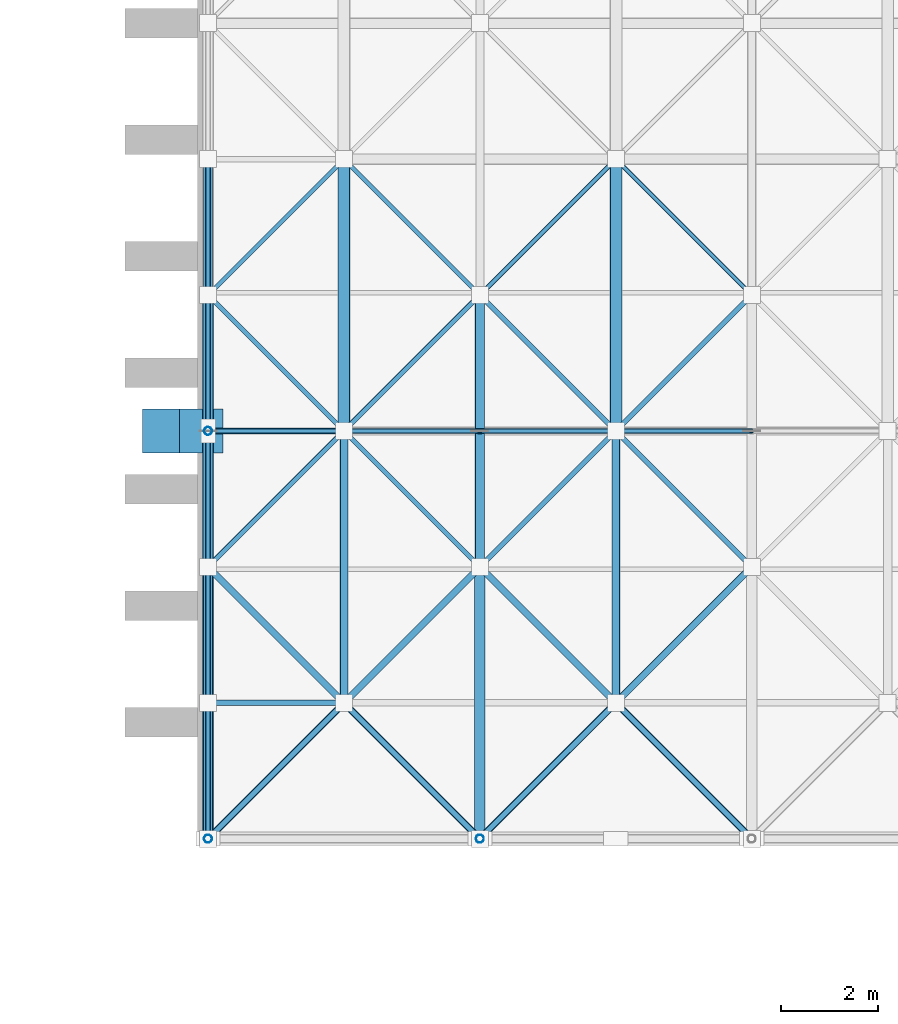
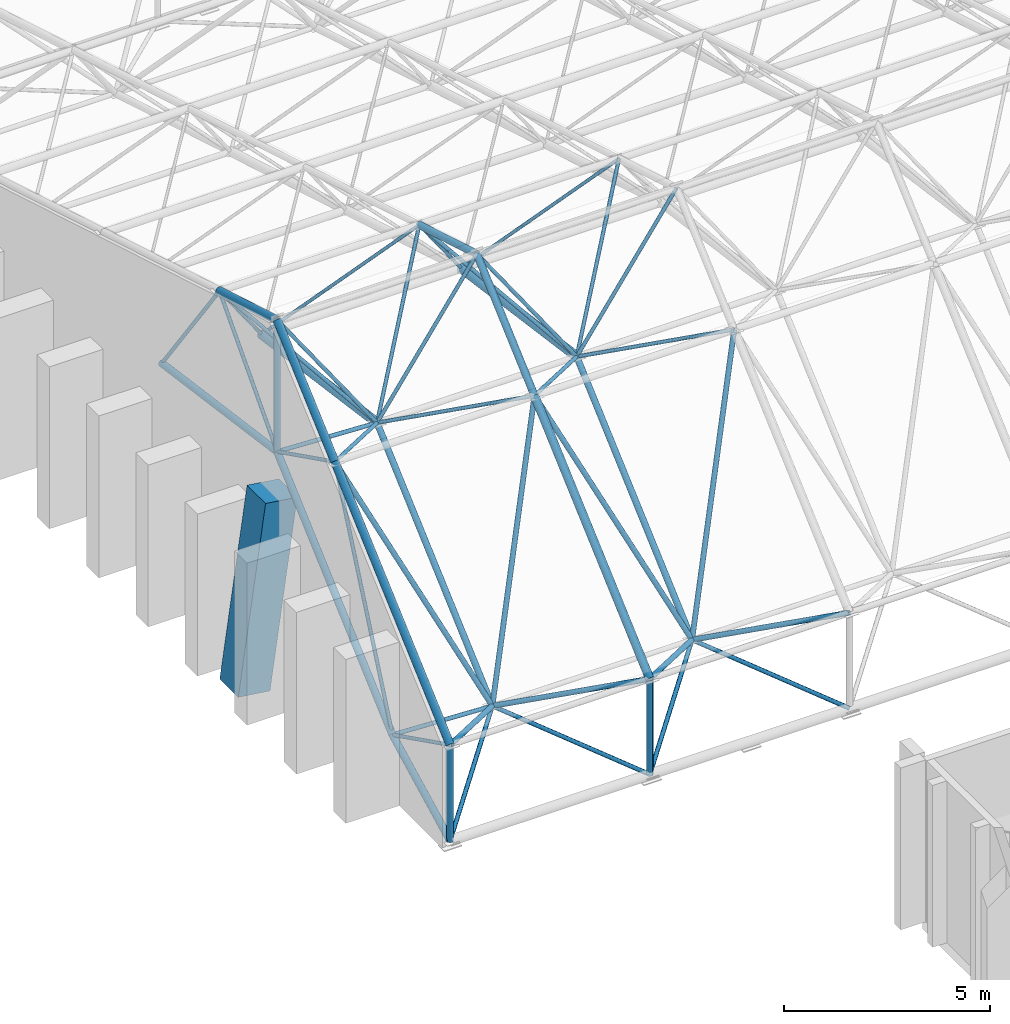
# One storey, part 24 of 100: 52 members.
"""IFC4 building model written with IfcOpenShell, lengths in metres."""

from ifc_helpers import new_model, si_unit, direction, frame, origin, origin_2d, place, context, subcontext, project, spatial, rectangle, hollow_circle, extrude, material, material_profile, profile_set, type_object, element, save


model = new_model("IFC4")

# Units and contexts
model_context = context("Model", 3, precision=1e-05, world=origin(), true_north=direction((0.0, 1.0)))
body_context = subcontext(model_context, "Body", "Model", "MODEL_VIEW")
ifc_project = project(units=[si_unit("LENGTHUNIT", "METRE"), si_unit("AREAUNIT", "SQUARE_METRE"), si_unit("VOLUMEUNIT", "CUBIC_METRE"), si_unit("PLANEANGLEUNIT", "RADIAN"), si_unit("MASSUNIT", "GRAM", prefix="KILO")], contexts=[model_context])

# Site, building, storey
site_placement = place(None, origin())
site = spatial("IfcSite", under=ifc_project, at=site_placement, CompositionType="ELEMENT")
building_placement = place(site_placement, origin())
building = spatial("IfcBuilding", under=site, at=building_placement, Name="Kiln Court Media Centre", CompositionType="ELEMENT")
storey_placement = place(building_placement, frame((0.0, 0.0, 15.0)))
storey = spatial("IfcBuildingStorey", under=building, at=storey_placement, Name="L03", CompositionType="ELEMENT", Elevation=15.0)

# Members
ifc_material_1 = material(Name="Concrete C40/50", Category="concrete")
ifc_material_profile_1 = material_profile(ifc_material_1, rectangle(XDim=0.89990234375, YDim=0.89990234375, at=origin_2d()), Name="RC 900x900")
ifc_profile_set_1 = profile_set([ifc_material_profile_1], Name="Concrete C40/50")
member_type_1 = type_object("IfcMemberType", Name="Concrete C40/50 raked column 900x900", PredefinedType="STRUT", material=ifc_profile_set_1)
member_1_placement = place(storey_placement, frame((116.695068359375, 42.0, 0.0), z_axis=(0.138324905677, 0.0, 0.990386904432), x_axis=(0.0, 1.0, 0.0)))
element("IfcMember", 1, at=member_1_placement, inside=storey, type_object=member_type_1, Name="L03-M-1003", PredefinedType="STRUT", context=body_context, shape_type="SweptSolid", body=[
    extrude(rectangle(XDim=0.89990234375, YDim=0.89990234375, at=origin_2d()), origin(), (0.0, 0.0, 1.0), 5.531494140625),
])
ifc_material_2 = material(Name="Steel ASTM A500 Gr C", Category="steel")
ifc_material_profile_2 = material_profile(ifc_material_2, hollow_circle(Radius=0.05078125, WallThickness=0.0048828125, at=origin_2d()), Name="CHS 101.6x5.0")
ifc_profile_set_2 = profile_set([ifc_material_profile_2], Name="Steel ASTM A500 Gr C")
member_type_2 = type_object("IfcMemberType", Name="Steel ASTM A500 Gr C CHS 101.6x5.0 space frame brace", PredefinedType="BRACE", material=ifc_profile_set_2)
member_2_placement = place(storey_placement, frame((120.39990234375, 42.0, 6.478271484375), z_axis=(-0.660014950047, -0.660072502799, 0.358726297841), x_axis=(0.70713760873, -0.707075952299, 0.0)))
element("IfcMember", 2, at=member_2_placement, inside=storey, type_object=member_type_2, Name="V2 roof diagonal 2-1 space frame brace", PredefinedType="BRACE", context=body_context, shape_type="SweptSolid", body=[
    extrude(hollow_circle(Radius=0.05078125, WallThickness=0.0048828125, at=origin_2d()), origin(), (0.0, 0.0, 1.0), 4.241943359375),
])
member_3_placement = place(storey_placement, frame((120.39990234375, 42.0, 6.478271484375), z_axis=(-0.550724936959, 0.550772959713, 0.627177160506), x_axis=(-0.70713760873, -0.707075952299, 0.0)))
element("IfcMember", 3, at=member_3_placement, inside=storey, type_object=member_type_2, Name="V2 roof diagonal 2-1 space frame brace", PredefinedType="BRACE", context=body_context, shape_type="SweptSolid", body=[
    extrude(hollow_circle(Radius=0.05078125, WallThickness=0.0048828125, at=origin_2d()), origin(), (0.0, 0.0, 1.0), 5.083740234375),
])
member_4_placement = place(storey_placement, frame((120.39990234375, 42.0, 6.478271484375), z_axis=(0.660047429834, -0.660047429834, 0.358712671563), x_axis=(0.707106781187, 0.707106781187, 0.0)))
element("IfcMember", 4, at=member_4_placement, inside=storey, type_object=member_type_2, Name="V2 roof diagonal 2-1 space frame brace", PredefinedType="BRACE", context=body_context, shape_type="SweptSolid", body=[
    extrude(hollow_circle(Radius=0.05078125, WallThickness=0.0048828125, at=origin_2d()), origin(), (0.0, 0.0, 1.0), 4.2421875),
])
member_5_placement = place(storey_placement, frame((120.39990234375, 42.0, 6.478271484375), z_axis=(0.550758393182, 0.550758393182, 0.627160573281), x_axis=(-0.707106781187, 0.707106781187, 0.0)))
element("IfcMember", 5, at=member_5_placement, inside=storey, type_object=member_type_2, Name="V2 roof diagonal 2-1 space frame brace", PredefinedType="BRACE", context=body_context, shape_type="SweptSolid", body=[
    extrude(hollow_circle(Radius=0.05078125, WallThickness=0.0048828125, at=origin_2d()), origin(), (0.0, 0.0, 1.0), 5.083984375),
])
for number, where, z_axis, x_axis, name in (
    (6, (120.39990234375, 42.0, 6.478271484375), (-0.571350561003, 0.0, 0.820706120631), (0.0, -1.0, 0.0), "V2 roof ridge diagonal 2-1 space frame brace"),
    (7, (120.39990234375, 42.0, 6.478271484375), (0.571384117126, 0.0, 0.820682758864), (0.0, 1.0, 0.0), "V2 roof ridge diagonal 2-1 space frame brace"),
):
    element("IfcMember", number, at=place(storey_placement, frame(where, z_axis=z_axis, x_axis=x_axis)), inside=storey, type_object=member_type_2, Name=name, PredefinedType="BRACE", context=body_context, shape_type="SweptSolid", body=[
        extrude(hollow_circle(Radius=0.05078125, WallThickness=0.0048828125, at=origin_2d()), origin(), (0.0, 0.0, 1.0), 4.900390625),
    ])
member_6_placement = place(storey_placement, frame((126.0, 42.0, 6.478271484375), z_axis=(-0.660047429834, -0.660047429834, 0.358712671563), x_axis=(0.707106781187, -0.707106781187, 0.0)))
element("IfcMember", 8, at=member_6_placement, inside=storey, type_object=member_type_2, Name="V2 roof diagonal 2-2 space frame brace", PredefinedType="BRACE", context=body_context, shape_type="SweptSolid", body=[
    extrude(hollow_circle(Radius=0.05078125, WallThickness=0.0048828125, at=origin_2d()), origin(), (0.0, 0.0, 1.0), 4.2421875),
])
member_7_placement = place(storey_placement, frame((126.0, 42.0, 6.478271484375), z_axis=(-0.550758393182, 0.550758393182, 0.627160573281), x_axis=(-0.707106781187, -0.707106781187, 0.0)))
element("IfcMember", 9, at=member_7_placement, inside=storey, type_object=member_type_2, Name="V2 roof diagonal 2-2 space frame brace", PredefinedType="BRACE", context=body_context, shape_type="SweptSolid", body=[
    extrude(hollow_circle(Radius=0.05078125, WallThickness=0.0048828125, at=origin_2d()), origin(), (0.0, 0.0, 1.0), 5.083984375),
])
member_8_placement = place(storey_placement, frame((126.0, 42.0, 6.478271484375), z_axis=(0.660047429834, -0.660047429834, 0.358712671563), x_axis=(0.707106781187, 0.707106781187, 0.0)))
element("IfcMember", 10, at=member_8_placement, inside=storey, type_object=member_type_2, Name="V2 roof diagonal 2-2 space frame brace", PredefinedType="BRACE", context=body_context, shape_type="SweptSolid", body=[
    extrude(hollow_circle(Radius=0.05078125, WallThickness=0.0048828125, at=origin_2d()), origin(), (0.0, 0.0, 1.0), 4.2421875),
])
member_9_placement = place(storey_placement, frame((126.0, 42.0, 6.478271484375), z_axis=(0.550758393182, 0.550758393182, 0.627160573281), x_axis=(-0.707106781187, 0.707106781187, 0.0)))
element("IfcMember", 11, at=member_9_placement, inside=storey, type_object=member_type_2, Name="V2 roof diagonal 2-2 space frame brace", PredefinedType="BRACE", context=body_context, shape_type="SweptSolid", body=[
    extrude(hollow_circle(Radius=0.05078125, WallThickness=0.0048828125, at=origin_2d()), origin(), (0.0, 0.0, 1.0), 5.083984375),
])
for number, where, z_axis, x_axis, name in (
    (12, (126.0, 42.0, 6.478271484375), (-0.571384117126, 0.0, 0.820682758864), (0.0, -1.0, 0.0), "V2 roof ridge diagonal 2-2 space frame brace"),
    (13, (126.0, 42.0, 6.478271484375), (0.571384117126, 0.0, 0.820682758864), (0.0, 1.0, 0.0), "V2 roof ridge diagonal 2-2 space frame brace"),
):
    element("IfcMember", number, at=place(storey_placement, frame(where, z_axis=z_axis, x_axis=x_axis)), inside=storey, type_object=member_type_2, Name=name, PredefinedType="BRACE", context=body_context, shape_type="SweptSolid", body=[
        extrude(hollow_circle(Radius=0.05078125, WallThickness=0.0048828125, at=origin_2d()), origin(), (0.0, 0.0, 1.0), 4.900390625),
    ])
member_10_placement = place(storey_placement, frame((117.60009765625, 36.39990234375, 1.60302734375), z_axis=(0.0, -0.894801401829, 0.446464389716), x_axis=(1.0, 0.0, 0.0)))
element("IfcMember", 14, at=member_10_placement, inside=storey, type_object=member_type_2, Name="V2 roof gable diagonal west 1 space frame brace", PredefinedType="BRACE", context=body_context, shape_type="SweptSolid", body=[
    extrude(hollow_circle(Radius=0.05078125, WallThickness=0.0048828125, at=origin_2d()), origin(), (0.0, 0.0, 1.0), 3.12890625),
])
member_11_placement = place(storey_placement, frame((117.60009765625, 36.39990234375, 1.60302734375), z_axis=(0.0, 0.400983895948, 0.916085102592), x_axis=(-1.0, 0.0, 0.0)))
element("IfcMember", 15, at=member_11_placement, inside=storey, type_object=member_type_2, Name="V2 roof gable diagonal west 1 space frame brace", PredefinedType="BRACE", context=body_context, shape_type="SweptSolid", body=[
    extrude(hollow_circle(Radius=0.05078125, WallThickness=0.0048828125, at=origin_2d()), origin(), (0.0, 0.0, 1.0), 6.98291015625),
])
member_12_placement = place(storey_placement, frame((117.60009765625, 42.0, 6.60302734375), z_axis=(0.0, -0.894816953145, 0.446433220498), x_axis=(1.0, 0.0, 0.0)))
element("IfcMember", 16, at=member_12_placement, inside=storey, type_object=member_type_2, Name="V2 roof gable diagonal west 2 space frame brace", PredefinedType="BRACE", context=body_context, shape_type="SweptSolid", body=[
    extrude(hollow_circle(Radius=0.05078125, WallThickness=0.0048828125, at=origin_2d()), origin(), (0.0, 0.0, 1.0), 3.129150390625),
])
member_13_placement = place(storey_placement, frame((117.60009765625, 42.0, 6.60302734375), z_axis=(0.0, 0.674629128867, 0.738156852223), x_axis=(-1.0, 0.0, 0.0)))
element("IfcMember", 17, at=member_13_placement, inside=storey, type_object=member_type_2, Name="V2 roof gable diagonal west 2 space frame brace", PredefinedType="BRACE", context=body_context, shape_type="SweptSolid", body=[
    extrude(hollow_circle(Radius=0.05078125, WallThickness=0.0048828125, at=origin_2d()), origin(), (0.0, 0.0, 1.0), 4.150390625),
])
member_14_placement = place(storey_placement, frame((117.60009765625, 47.60009765625, 5.828125), z_axis=(0.0, -0.58931681958, 0.807902027575), x_axis=(1.0, 0.0, 0.0)))
element("IfcMember", 18, at=member_14_placement, inside=storey, type_object=member_type_2, Name="V2 roof gable diagonal west 3 space frame brace", PredefinedType="BRACE", context=body_context, shape_type="SweptSolid", body=[
    extrude(hollow_circle(Radius=0.05078125, WallThickness=0.0048828125, at=origin_2d()), origin(), (0.0, 0.0, 1.0), 4.75146484375),
])
ifc_material_3 = material(Name="Steel ASTM A500 Gr C", Category="steel")
ifc_material_profile_3 = material_profile(ifc_material_3, hollow_circle(Radius=0.05712890625, WallThickness=0.0048828125, at=origin_2d()), Name="CHS 114.3x5.0")
ifc_profile_set_3 = profile_set([ifc_material_profile_3], Name="Steel ASTM A500 Gr C")
member_type_3 = type_object("IfcMemberType", Name="Steel ASTM A500 Gr C CHS 114.3x5.0 space frame brace", PredefinedType="BRACE", material=ifc_profile_set_3)
for number, where, z_axis, x_axis, name in (
    (19, (117.60009765625, 33.60009765625, 0.16455078125), (0.671130936008, 0.671130936008, 0.314907182304), (-0.707106781187, 0.707106781187, 0.0), "V2 roof bearing tie first 1 space frame brace"),
    (20, (123.199951171875, 33.60009765625, 0.16455078125), (-0.671163096856, 0.671104577098, 0.314894814211), (-0.707075952299, -0.70713760873, 0.0), "V2 roof bearing tie first 2 space frame brace"),
    (21, (123.199951171875, 33.60009765625, 0.16455078125), (0.671163096856, 0.671104577098, 0.314894814211), (-0.707075952299, 0.70713760873, 0.0), "V2 roof bearing tie first 2 space frame brace"),
    (22, (128.800048828125, 33.60009765625, 0.16455078125), (-0.671163096856, 0.671104577098, 0.314894814211), (-0.707075952299, -0.70713760873, 0.0), "V2 roof bearing tie first 3 space frame brace"),
):
    element("IfcMember", number, at=place(storey_placement, frame(where, z_axis=z_axis, x_axis=x_axis)), inside=storey, type_object=member_type_3, Name=name, PredefinedType="BRACE", context=body_context, shape_type="SweptSolid", body=[
        extrude(hollow_circle(Radius=0.05712890625, WallThickness=0.0048828125, at=origin_2d()), origin(), (0.0, 0.0, 1.0), 4.171875),
    ])
for number, where, z_axis, x_axis, name in (
    (23, (117.60009765625, 36.39990234375, 1.60302734375), (0.999008733772, 0.0, -0.04451460263), (0.0, 1.0, 0.0), "V2 roof gable tie west 1 space frame brace"),
    (24, (117.60009765625, 42.0, 6.60302734375), (0.999008733772, 0.0, -0.04451460263), (0.0, 1.0, 0.0), "V2 roof gable tie west 2 space frame brace"),
):
    element("IfcMember", number, at=place(storey_placement, frame(where, z_axis=z_axis, x_axis=x_axis)), inside=storey, type_object=member_type_3, Name=name, PredefinedType="BRACE", context=body_context, shape_type="SweptSolid", body=[
        extrude(hollow_circle(Radius=0.05712890625, WallThickness=0.0048828125, at=origin_2d()), origin(), (0.0, 0.0, 1.0), 2.802490234375),
    ])
ifc_material_4 = material(Name="Steel ASTM A500 Gr C", Category="steel")
ifc_material_profile_4 = material_profile(ifc_material_4, hollow_circle(Radius=0.06982421875, WallThickness=0.0048828125, at=origin_2d()), Name="CHS 139.7x5.0")
ifc_profile_set_4 = profile_set([ifc_material_profile_4], Name="Steel ASTM A500 Gr C")
member_type_4 = type_object("IfcMemberType", Name="Steel ASTM A500 Gr C CHS 139.7x5.0 space frame brace", PredefinedType="BRACE", material=ifc_profile_set_4)
member_15_placement = place(storey_placement, frame((120.39990234375, 36.39990234375, 1.478271484375), z_axis=(-0.660040023683, -0.660040023683, 0.358739925673), x_axis=(0.707106781187, -0.707106781187, 0.0)))
element("IfcMember", 25, at=member_15_placement, inside=storey, type_object=member_type_4, Name="V2 roof diagonal 1-1 space frame brace", PredefinedType="BRACE", context=body_context, shape_type="SweptSolid", body=[
    extrude(hollow_circle(Radius=0.06982421875, WallThickness=0.0048828125, at=origin_2d()), origin(), (0.0, 0.0, 1.0), 4.241943359375),
])
member_16_placement = place(storey_placement, frame((120.39990234375, 36.39990234375, 1.478271484375), z_axis=(-0.366961936362, 0.366993935136, 0.854783240848), x_axis=(-0.70713760873, -0.707075952299, 0.0)))
element("IfcMember", 26, at=member_16_placement, inside=storey, type_object=member_type_4, Name="V2 roof diagonal 1-1 space frame brace", PredefinedType="BRACE", context=body_context, shape_type="SweptSolid", body=[
    extrude(hollow_circle(Radius=0.06982421875, WallThickness=0.0048828125, at=origin_2d()), origin(), (0.0, 0.0, 1.0), 7.629638671875),
])
member_17_placement = place(storey_placement, frame((120.39990234375, 36.39990234375, 1.478271484375), z_axis=(0.660072502799, -0.660014950047, 0.358726297841), x_axis=(0.707075952299, 0.70713760873, 0.0)))
element("IfcMember", 27, at=member_17_placement, inside=storey, type_object=member_type_4, Name="V2 roof diagonal 1-1 space frame brace", PredefinedType="BRACE", context=body_context, shape_type="SweptSolid", body=[
    extrude(hollow_circle(Radius=0.06982421875, WallThickness=0.0048828125, at=origin_2d()), origin(), (0.0, 0.0, 1.0), 4.241943359375),
])
member_18_placement = place(storey_placement, frame((120.39990234375, 36.39990234375, 1.478271484375), z_axis=(0.366989625659, 0.366989625659, 0.854773203439), x_axis=(-0.707106781187, 0.707106781187, 0.0)))
element("IfcMember", 28, at=member_18_placement, inside=storey, type_object=member_type_4, Name="V2 roof diagonal 1-1 space frame brace", PredefinedType="BRACE", context=body_context, shape_type="SweptSolid", body=[
    extrude(hollow_circle(Radius=0.06982421875, WallThickness=0.0048828125, at=origin_2d()), origin(), (0.0, 0.0, 1.0), 7.6298828125),
])
member_19_placement = place(storey_placement, frame((126.0, 36.39990234375, 1.478271484375), z_axis=(-0.660072502799, -0.660014950047, 0.358726297841), x_axis=(0.707075952299, -0.70713760873, 0.0)))
element("IfcMember", 29, at=member_19_placement, inside=storey, type_object=member_type_4, Name="V2 roof diagonal 1-2 space frame brace", PredefinedType="BRACE", context=body_context, shape_type="SweptSolid", body=[
    extrude(hollow_circle(Radius=0.06982421875, WallThickness=0.0048828125, at=origin_2d()), origin(), (0.0, 0.0, 1.0), 4.241943359375),
])
member_20_placement = place(storey_placement, frame((126.0, 36.39990234375, 1.478271484375), z_axis=(-0.366989625659, 0.366989625659, 0.854773203439), x_axis=(-0.707106781187, -0.707106781187, 0.0)))
element("IfcMember", 30, at=member_20_placement, inside=storey, type_object=member_type_4, Name="V2 roof diagonal 1-2 space frame brace", PredefinedType="BRACE", context=body_context, shape_type="SweptSolid", body=[
    extrude(hollow_circle(Radius=0.06982421875, WallThickness=0.0048828125, at=origin_2d()), origin(), (0.0, 0.0, 1.0), 7.6298828125),
])
member_21_placement = place(storey_placement, frame((126.0, 36.39990234375, 1.478271484375), z_axis=(0.660072502799, -0.660014950047, 0.358726297841), x_axis=(0.707075952299, 0.70713760873, 0.0)))
element("IfcMember", 31, at=member_21_placement, inside=storey, type_object=member_type_4, Name="V2 roof diagonal 1-2 space frame brace", PredefinedType="BRACE", context=body_context, shape_type="SweptSolid", body=[
    extrude(hollow_circle(Radius=0.06982421875, WallThickness=0.0048828125, at=origin_2d()), origin(), (0.0, 0.0, 1.0), 4.241943359375),
])
member_22_placement = place(storey_placement, frame((126.0, 36.39990234375, 1.478271484375), z_axis=(0.366989625659, 0.366989625659, 0.854773203439), x_axis=(-0.707106781187, 0.707106781187, 0.0)))
element("IfcMember", 32, at=member_22_placement, inside=storey, type_object=member_type_4, Name="V2 roof diagonal 1-2 space frame brace", PredefinedType="BRACE", context=body_context, shape_type="SweptSolid", body=[
    extrude(hollow_circle(Radius=0.06982421875, WallThickness=0.0048828125, at=origin_2d()), origin(), (0.0, 0.0, 1.0), 7.6298828125),
])
ifc_material_5 = material(Name="Steel ASTM A500 Gr C", Category="steel")
ifc_material_profile_5 = material_profile(ifc_material_5, hollow_circle(Radius=0.084228515625, WallThickness=0.00634765625, at=origin_2d()), Name="CHS 168.3x6.3")
ifc_profile_set_5 = profile_set([ifc_material_profile_5], Name="Steel ASTM A500 Gr C")
member_type_5 = type_object("IfcMemberType", Name="Steel ASTM A500 Gr C CHS 168.3x6.3 space frame chord", PredefinedType="CHORD", material=ifc_profile_set_5)
for number, where, z_axis, x_axis, name in (
    (33, (120.39990234375, 36.39990234375, 1.478271484375), (0.0, 0.745943431645, 0.666009306831), (-1.0, 0.0, 0.0), "V2 roof bottom chord across line 1 space frame chord"),
    (34, (126.0, 36.39990234375, 1.478271484375), (0.0, 0.745943431645, 0.666009306831), (-1.0, 0.0, 0.0), "V2 roof bottom chord across line 2 space frame chord"),
):
    element("IfcMember", number, at=place(storey_placement, frame(where, z_axis=z_axis, x_axis=x_axis)), inside=storey, type_object=member_type_5, Name=name, PredefinedType="CHORD", context=body_context, shape_type="SweptSolid", body=[
        extrude(hollow_circle(Radius=0.084228515625, WallThickness=0.00634765625, at=origin_2d()), origin(), (0.0, 0.0, 1.0), 7.50732421875),
    ])
ifc_material_6 = material(Name="Steel ASTM A500 Gr C", Category="steel")
ifc_material_profile_6 = material_profile(ifc_material_6, hollow_circle(Radius=0.084228515625, WallThickness=0.00634765625, at=origin_2d()), Name="CHS 168.3x6.3")
ifc_profile_set_6 = profile_set([ifc_material_profile_6], Name="Steel ASTM A500 Gr C")
member_type_6 = type_object("IfcMemberType", Name="Steel ASTM A500 Gr C CHS 168.3x6.3 space frame strut", PredefinedType="STRUT", material=ifc_profile_set_6)
for number, where, z_axis, x_axis, name in (
    (35, (117.60009765625, 33.60009765625, 0.16455078125), (0.0, 0.0, 1.0), (1.0, 0.0, 0.0), "V2 roof bearing post first 1 space frame strut"),
    (36, (123.199951171875, 33.60009765625, 0.16455078125), (0.0, 0.0, 1.0), (1.0, 0.0, 0.0), "V2 roof bearing post first 2 space frame strut"),
):
    element("IfcMember", number, at=place(storey_placement, frame(where, z_axis=z_axis, x_axis=x_axis)), inside=storey, type_object=member_type_6, Name=name, PredefinedType="STRUT", context=body_context, shape_type="SweptSolid", body=[
        extrude(hollow_circle(Radius=0.084228515625, WallThickness=0.00634765625, at=origin_2d()), origin(), (0.0, 0.0, 1.0), 2.83544921875),
    ])
member_23_placement = place(storey_placement, frame((117.60009765625, 42.0, 6.60302734375), z_axis=(0.0, 0.0, 1.0), x_axis=(1.0, 0.0, 0.0)))
element("IfcMember", 37, at=member_23_placement, inside=storey, type_object=member_type_6, Name="V2 roof gable post west 2 space frame strut", PredefinedType="STRUT", context=body_context, shape_type="SweptSolid", body=[
    extrude(hollow_circle(Radius=0.084228515625, WallThickness=0.00634765625, at=origin_2d()), origin(), (0.0, 0.0, 1.0), 3.89697265625),
])
ifc_material_7 = material(Name="Steel ASTM A500 Gr C", Category="steel")
ifc_material_profile_7 = material_profile(ifc_material_7, hollow_circle(Radius=0.096923828125, WallThickness=0.008056640625, at=origin_2d()), Name="CHS 193.7x8.0")
ifc_profile_set_7 = profile_set([ifc_material_profile_7], Name="Steel ASTM A500 Gr C")
member_type_7 = type_object("IfcMemberType", Name="Steel ASTM A500 Gr C CHS 193.7x8.0 space frame chord", PredefinedType="CHORD", material=ifc_profile_set_7)
member_24_placement = place(storey_placement, frame((123.199951171875, 39.199951171875, 8.0), z_axis=(0.0, 0.745943431645, 0.666009306831), x_axis=(-1.0, 0.0, 0.0)))
element("IfcMember", 38, at=member_24_placement, inside=storey, type_object=member_type_7, Name="V2 roof top chord across line 2 space frame chord", PredefinedType="CHORD", context=body_context, shape_type="SweptSolid", body=[
    extrude(hollow_circle(Radius=0.096923828125, WallThickness=0.008056640625, at=origin_2d()), origin(), (0.0, 0.0, 1.0), 3.753662109375),
])
member_25_placement = place(storey_placement, frame((123.199951171875, 42.0, 10.5), z_axis=(0.0, 0.958461054013, -0.285223435116), x_axis=(-1.0, 0.0, 0.0)))
element("IfcMember", 39, at=member_25_placement, inside=storey, type_object=member_type_7, Name="V2 roof top chord across line 2 space frame chord", PredefinedType="CHORD", context=body_context, shape_type="SweptSolid", body=[
    extrude(hollow_circle(Radius=0.096923828125, WallThickness=0.008056640625, at=origin_2d()), origin(), (0.0, 0.0, 1.0), 2.92138671875),
])
member_26_placement = place(storey_placement, frame((117.60009765625, 33.60009765625, 0.16455078125), z_axis=(0.0, 0.88947159401, 0.456990463194), x_axis=(-1.0, 0.0, 0.0)))
element("IfcMember", 40, at=member_26_placement, inside=storey, type_object=member_type_7, Name="V2 roof gable bottom chord west space frame chord", PredefinedType="CHORD", context=body_context, shape_type="SweptSolid", body=[
    extrude(hollow_circle(Radius=0.096923828125, WallThickness=0.008056640625, at=origin_2d()), origin(), (0.0, 0.0, 1.0), 3.147705078125),
])
member_27_placement = place(storey_placement, frame((117.60009765625, 36.39990234375, 1.60302734375), z_axis=(0.0, 0.745943431645, 0.666009306831), x_axis=(-1.0, 0.0, 0.0)))
element("IfcMember", 41, at=member_27_placement, inside=storey, type_object=member_type_7, Name="V2 roof gable bottom chord west space frame chord", PredefinedType="CHORD", context=body_context, shape_type="SweptSolid", body=[
    extrude(hollow_circle(Radius=0.096923828125, WallThickness=0.008056640625, at=origin_2d()), origin(), (0.0, 0.0, 1.0), 7.50732421875),
])
member_28_placement = place(storey_placement, frame((117.60009765625, 42.0, 6.60302734375), z_axis=(0.0, 0.990561777326, -0.137067010255), x_axis=(-1.0, 0.0, 0.0)))
element("IfcMember", 42, at=member_28_placement, inside=storey, type_object=member_type_7, Name="V2 roof gable bottom chord west space frame chord", PredefinedType="CHORD", context=body_context, shape_type="SweptSolid", body=[
    extrude(hollow_circle(Radius=0.096923828125, WallThickness=0.008056640625, at=origin_2d()), origin(), (0.0, 0.0, 1.0), 5.653564453125),
])
ifc_material_8 = material(Name="Steel ASTM A500 Gr C", Category="steel")
ifc_material_profile_8 = material_profile(ifc_material_8, hollow_circle(Radius=0.109619140625, WallThickness=0.008056640625, at=origin_2d()), Name="CHS 219.1x8.0")
ifc_profile_set_8 = profile_set([ifc_material_profile_8], Name="Steel ASTM A500 Gr C")
member_type_8 = type_object("IfcMemberType", Name="Steel ASTM A500 Gr C CHS 219.1x8.0 space frame chord", PredefinedType="CHORD", material=ifc_profile_set_8)
member_29_placement = place(storey_placement, frame((117.60009765625, 33.60009765625, 3.0), z_axis=(0.0, 0.745929006282, 0.666025463167), x_axis=(-1.0, 0.0, 0.0)))
element("IfcMember", 43, at=member_29_placement, inside=storey, type_object=member_type_8, Name="V2 roof top chord across line 1 space frame chord", PredefinedType="CHORD", context=body_context, shape_type="SweptSolid", body=[
    extrude(hollow_circle(Radius=0.109619140625, WallThickness=0.008056640625, at=origin_2d()), origin(), (0.0, 0.0, 1.0), 7.50732421875),
])
member_30_placement = place(storey_placement, frame((117.60009765625, 39.199951171875, 8.0), z_axis=(0.0, 0.745943431645, 0.666009306831), x_axis=(-1.0, 0.0, 0.0)))
element("IfcMember", 44, at=member_30_placement, inside=storey, type_object=member_type_8, Name="V2 roof top chord across line 1 space frame chord", PredefinedType="CHORD", context=body_context, shape_type="SweptSolid", body=[
    extrude(hollow_circle(Radius=0.109619140625, WallThickness=0.008056640625, at=origin_2d()), origin(), (0.0, 0.0, 1.0), 3.753662109375),
])
member_31_placement = place(storey_placement, frame((117.60009765625, 42.0, 10.5), z_axis=(0.0, 0.958461054013, -0.285223435116), x_axis=(-1.0, 0.0, 0.0)))
element("IfcMember", 45, at=member_31_placement, inside=storey, type_object=member_type_8, Name="V2 roof top chord across line 1 space frame chord", PredefinedType="CHORD", context=body_context, shape_type="SweptSolid", body=[
    extrude(hollow_circle(Radius=0.109619140625, WallThickness=0.008056640625, at=origin_2d()), origin(), (0.0, 0.0, 1.0), 2.92138671875),
])
member_32_placement = place(storey_placement, frame((123.199951171875, 33.60009765625, 3.0), z_axis=(0.0, 0.745929006282, 0.666025463167), x_axis=(-1.0, 0.0, 0.0)))
element("IfcMember", 46, at=member_32_placement, inside=storey, type_object=member_type_8, Name="V2 roof top chord across line 2 space frame chord", PredefinedType="CHORD", context=body_context, shape_type="SweptSolid", body=[
    extrude(hollow_circle(Radius=0.109619140625, WallThickness=0.008056640625, at=origin_2d()), origin(), (0.0, 0.0, 1.0), 7.50732421875),
])
ifc_material_9 = material(Name="Steel ASTM A500 Gr C", Category="steel")
ifc_material_profile_9 = material_profile(ifc_material_9, hollow_circle(Radius=0.122314453125, WallThickness=0.010009765625, at=origin_2d()), Name="CHS 244.5x10.0")
ifc_profile_set_9 = profile_set([ifc_material_profile_9], Name="Steel ASTM A500 Gr C")
member_type_9 = type_object("IfcMemberType", Name="Steel ASTM A500 Gr C CHS 244.5x10.0 space frame chord", PredefinedType="CHORD", material=ifc_profile_set_9)
for number, where, z_axis, x_axis, name in (
    (47, (120.39990234375, 42.0, 6.478271484375), (0.0, 0.990561777326, -0.137067010255), (-1.0, 0.0, 0.0), "V2 roof bottom chord across line 1 space frame chord"),
    (48, (126.0, 42.0, 6.478271484375), (0.0, 0.990561777326, -0.137067010255), (-1.0, 0.0, 0.0), "V2 roof bottom chord across line 2 space frame chord"),
):
    element("IfcMember", number, at=place(storey_placement, frame(where, z_axis=z_axis, x_axis=x_axis)), inside=storey, type_object=member_type_9, Name=name, PredefinedType="CHORD", context=body_context, shape_type="SweptSolid", body=[
        extrude(hollow_circle(Radius=0.122314453125, WallThickness=0.010009765625, at=origin_2d()), origin(), (0.0, 0.0, 1.0), 5.653564453125),
    ])
ifc_material_10 = material(Name="Steel ASTM A500 Gr C", Category="steel")
ifc_material_profile_10 = material_profile(ifc_material_10, hollow_circle(Radius=0.04443359375, WallThickness=0.00390625, at=origin_2d()), Name="CHS 88.9x4.0")
ifc_profile_set_10 = profile_set([ifc_material_profile_10], Name="Steel ASTM A500 Gr C")
member_type_10 = type_object("IfcMemberType", Name="Steel ASTM A500 Gr C CHS 88.9x4.0 space frame brace", PredefinedType="BRACE", material=ifc_profile_set_10)
for number, where, z_axis, x_axis, name in (
    (49, (120.39990234375, 47.60009765625, 5.703369140625), (-0.499745639188, -0.499789216589, 0.707435534232), (0.70713760873, -0.707075952299, 0.0), "V2 roof diagonal 3-1 space frame brace"),
    (50, (120.39990234375, 47.60009765625, 5.703369140625), (0.499778332252, -0.499778332252, 0.707420127804), (0.707106781187, 0.707106781187, 0.0), "V2 roof diagonal 3-1 space frame brace"),
    (51, (126.0, 47.60009765625, 5.703369140625), (-0.499778332252, -0.499778332252, 0.707420127804), (0.707106781187, -0.707106781187, 0.0), "V2 roof diagonal 3-2 space frame brace"),
    (52, (126.0, 47.60009765625, 5.703369140625), (0.499778332252, -0.499778332252, 0.707420127804), (0.707106781187, 0.707106781187, 0.0), "V2 roof diagonal 3-2 space frame brace"),
):
    element("IfcMember", number, at=place(storey_placement, frame(where, z_axis=z_axis, x_axis=x_axis)), inside=storey, type_object=member_type_10, Name=name, PredefinedType="BRACE", context=body_context, shape_type="SweptSolid", body=[
        extrude(hollow_circle(Radius=0.04443359375, WallThickness=0.00390625, at=origin_2d()), origin(), (0.0, 0.0, 1.0), 5.6025390625),
    ])

save(model, "model.ifc")
